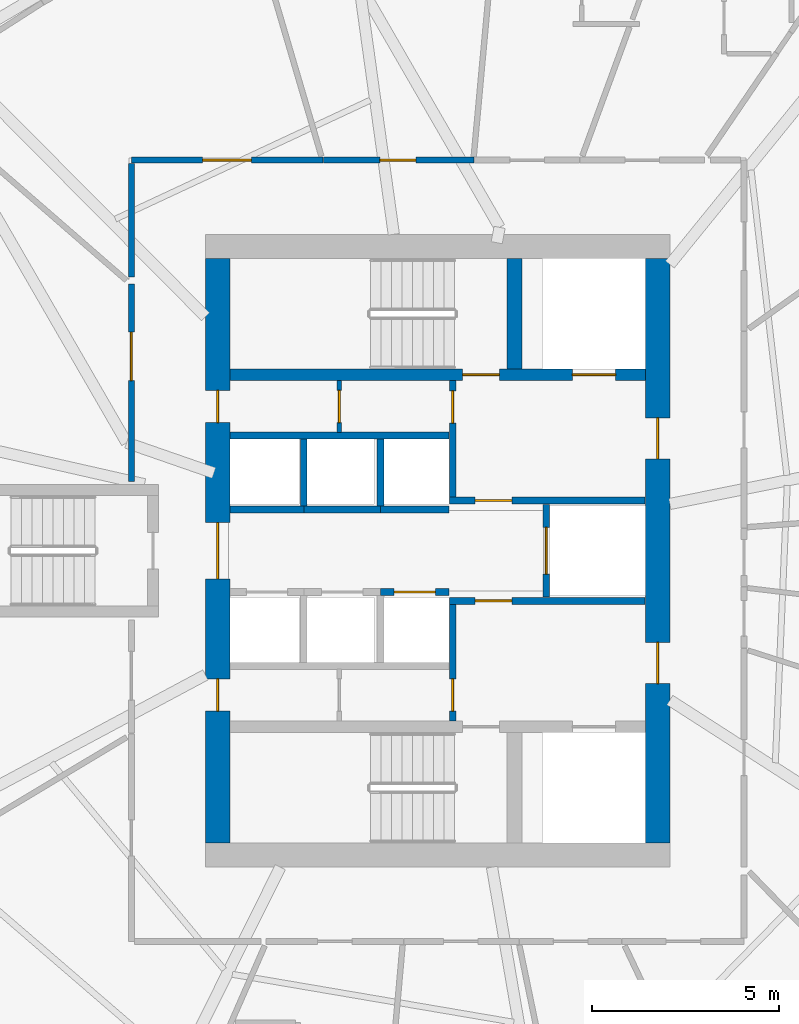
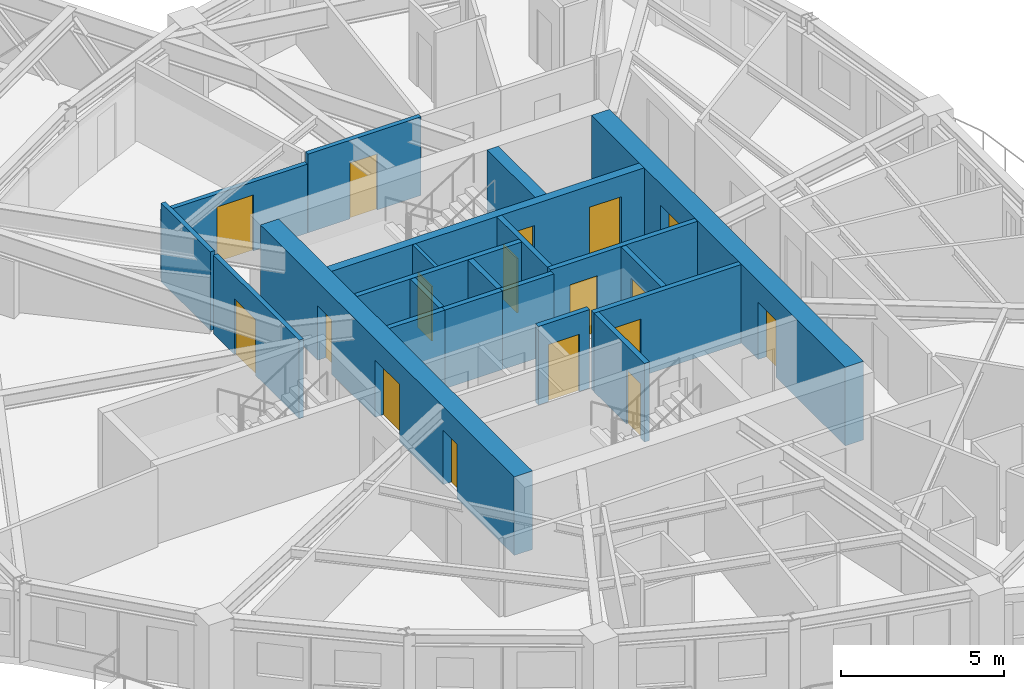
# One storey, part 7 of 14: 21 walls, 17 doors, 17 openings.
"""IFC4 building model written with IfcOpenShell, lengths in metres."""

from ifc_helpers import new_model, si_unit, direction, frame, frame_2d, origin, place, context, subcontext, project, spatial, rectangle, extrude, source, transform, mapped, material, layer, layer_set, type_object, element, fill, save


model = new_model("IFC4")

# Units and contexts
model_context = context("Model", 3, precision=1e-05, world=origin(), true_north=direction((0.0, 1.0)))
body_context = subcontext(model_context, "Body", "Model", "MODEL_VIEW")
ifc_project = project(units=[si_unit("LENGTHUNIT", "METRE"), si_unit("AREAUNIT", "SQUARE_METRE"), si_unit("VOLUMEUNIT", "CUBIC_METRE"), si_unit("PLANEANGLEUNIT", "RADIAN"), si_unit("MASSUNIT", "GRAM", prefix="KILO")], contexts=[model_context])

# Site, building, storey
site_placement = place(None, origin())
site = spatial("IfcSite", under=ifc_project, at=site_placement, CompositionType="ELEMENT")
building_placement = place(site_placement, origin())
building = spatial("IfcBuilding", under=site, at=building_placement, Name="Qafzar Sky-Pleat Residences", CompositionType="ELEMENT")
storey_placement = place(building_placement, frame((0.0, 0.0, 86.39990234375)))
storey = spatial("IfcBuildingStorey", under=building, at=storey_placement, Name="L25", CompositionType="ELEMENT", Elevation=86.39990234375)

# Wall, opening, door
ifc_material_1 = material(Name="Acoustic gypsum plasterboard partition", Category="gypsum")
ifc_layer_1 = layer(ifc_material_1, 0.159912109375)
ifc_layer_set_1 = layer_set([ifc_layer_1], Name="Acoustic gypsum plasterboard partition")
wall_type_1 = type_object("IfcWallType", Name="PART-COR-160", PredefinedType="PARTITIONING", material=ifc_layer_set_1)
wall_1_placement = place(storey_placement, frame((22.169921875, 27.85009765625, 0.0), z_axis=(0.0, 0.0, 1.0), x_axis=(0.0, 1.0, 0.0)))
wall_1 = element("IfcWall", 1, at=wall_1_placement, inside=storey, type_object=wall_type_1, Name="L25 Partition Wall PART-L25-PW-004", PredefinedType="PARTITIONING", context=body_context, shape_type="SweptSolid", body=[
    extrude(rectangle(XDim=5.27587890625, YDim=0.159912109375, at=frame_2d((2.637939453125, 0.0))), origin(), (0.0, 0.0, 1.0), 2.9501953125),
])
opening_1_placement = place(wall_1_placement, frame((2.689453125, 0.0, 0.0)))
opening_1 = element("IfcOpeningElement", 2, at=opening_1_placement, cuts=wall_1, Name="Opening ID-05", PredefinedType="OPENING", context=body_context, shape_type="SweptSolid", body=[
    extrude(rectangle(XDim=1.300048828125, YDim=2.10009765625, at=frame_2d((0.64990234375, 1.050048828125))), frame((0.0, 0.08984375, 0.0), z_axis=(0.0, -1.0, 0.0), x_axis=(1.0, 0.0, 0.0)), (0.0, 0.0, 1.0), 0.179931640625),
])
ifc_material_2 = material(Name="Timber-faced fire door", Category="wood")
door_type_1 = type_object("IfcDoorType", Name="DR-LNG-1300", OperationType="DOUBLE_DOOR_SINGLE_SWING", PredefinedType="DOOR", material=ifc_material_2)
shared_shape_1 = source(origin(), body_context, "Body", "SweptSolid", [
    extrude(rectangle(XDim=1.300048828125, YDim=2.10009765625, at=frame_2d((0.64990234375, 1.050048828125))), frame((0.0, 0.02490234375, 0.0), z_axis=(0.0, -1.0, 0.0), x_axis=(1.0, 0.0, 0.0)), (0.0, 0.0, 1.0), 0.050048828125),
])
door_1_placement = place(opening_1_placement, origin())
door_1 = element("IfcDoor", 3, at=door_1_placement, inside=storey, type_object=door_type_1, Name="L25 Academic Seminar Room Door", OperationType="DOUBLE_DOOR_SINGLE_SWING", OverallHeight=2.10009765625, OverallWidth=1.300048828125, PredefinedType="DOOR", context=body_context, shape_type="MappedRepresentation", body=[
    mapped(shared_shape_1, transform((0.0, 0.0, 0.0), x_axis=(1.0, 0.0, 0.0), y_axis=(0.0, 1.0, 0.0), z_axis=(0.0, 0.0, 1.0), scale=1.0)),
])
fill(opening_1, door_1)

wall_2_placement = place(storey_placement, frame((22.169921875, 36.429931640625, 0.0), z_axis=(0.0, 0.0, 1.0), x_axis=(1.0, 0.0, 0.0)))
wall_2 = element("IfcWall", 4, at=wall_2_placement, inside=storey, type_object=wall_type_1, Name="L25 Partition Wall PART-L25-PW-006", PredefinedType="PARTITIONING", context=body_context, shape_type="SweptSolid", body=[
    extrude(rectangle(XDim=5.1220703125, YDim=0.159912109375, at=frame_2d((2.56103515625, 0.0))), origin(), (0.0, 0.0, 1.0), 2.588134765625),
])
opening_2_placement = place(wall_2_placement, frame((1.903076171875, 0.0, 0.0)))
opening_2 = element("IfcOpeningElement", 5, at=opening_2_placement, cuts=wall_2, Name="Opening ID-05", PredefinedType="OPENING", context=body_context, shape_type="SweptSolid", body=[
    extrude(rectangle(XDim=1.300048828125, YDim=2.10009765625, at=frame_2d((0.64990234375, 1.050048828125))), frame((0.0, 0.08984375, 0.0), z_axis=(0.0, -1.0, 0.0), x_axis=(1.0, 0.0, 0.0)), (0.0, 0.0, 1.0), 0.179931640625),
])
door_2_placement = place(opening_2_placement, origin())
door_2 = element("IfcDoor", 6, at=door_2_placement, inside=storey, type_object=door_type_1, Name="L25 Co-Living Lounge Door", OperationType="DOUBLE_DOOR_SINGLE_SWING", OverallHeight=2.10009765625, OverallWidth=1.300048828125, PredefinedType="DOOR", context=body_context, shape_type="MappedRepresentation", body=[
    mapped(shared_shape_1, transform((0.0, 0.0, 0.0), x_axis=(1.0, 0.0, 0.0), y_axis=(0.0, 1.0, 0.0), z_axis=(0.0, 0.0, 1.0), scale=1.0)),
])
fill(opening_2, door_2)

wall_3_placement = place(storey_placement, frame((27.306884765625, 36.429931640625, 0.0), z_axis=(0.0, 0.0, 1.0), x_axis=(1.0, 0.0, 0.0)))
wall_3 = element("IfcWall", 7, at=wall_3_placement, inside=storey, type_object=wall_type_1, Name="L25 Partition Wall PART-L25-PW-008", PredefinedType="PARTITIONING", context=body_context, shape_type="SweptSolid", body=[
    extrude(rectangle(XDim=4.01318359375, YDim=0.159912109375, at=frame_2d((2.006591796875, 0.0))), origin(), (0.0, 0.0, 1.0), 2.9501953125),
])
opening_3_placement = place(wall_3_placement, frame((1.50341796875, 0.0, 0.0)))
opening_3 = element("IfcOpeningElement", 8, at=opening_3_placement, cuts=wall_3, Name="Opening ID-06", PredefinedType="OPENING", context=body_context, shape_type="SweptSolid", body=[
    extrude(rectangle(XDim=0.9599609375, YDim=2.10009765625, at=frame_2d((0.47998046875, 1.050048828125))), frame((0.0, 0.08984375, 0.0), z_axis=(0.0, -1.0, 0.0), x_axis=(1.0, 0.0, 0.0)), (0.0, 0.0, 1.0), 0.179931640625),
])
door_type_2 = type_object("IfcDoorType", Name="DR-STD-960", OperationType="NOTDEFINED", PredefinedType="DOOR", material=ifc_material_2)
shared_shape_2 = source(origin(), body_context, "Body", "SweptSolid", [
    extrude(rectangle(XDim=0.9599609375, YDim=2.10009765625, at=frame_2d((0.47998046875, 1.050048828125))), frame((0.0, 0.02490234375, 0.0), z_axis=(0.0, -1.0, 0.0), x_axis=(1.0, 0.0, 0.0)), (0.0, 0.0, 1.0), 0.050048828125),
])
door_3_placement = place(opening_3_placement, origin())
door_3 = element("IfcDoor", 9, at=door_3_placement, inside=storey, type_object=door_type_2, Name="L25 Faculty Research Office Door", OperationType="SINGLE_SWING_LEFT", OverallHeight=2.10009765625, OverallWidth=0.9599609375, PredefinedType="DOOR", context=body_context, shape_type="MappedRepresentation", body=[
    mapped(shared_shape_2, transform((0.0, 0.0, 0.0), x_axis=(1.0, 0.0, 0.0), y_axis=(0.0, 1.0, 0.0), z_axis=(0.0, 0.0, 1.0), scale=1.0)),
])
fill(opening_3, door_3)

# Wall
wall_4_placement = place(storey_placement, frame((22.169921875, 33.314697265625, 0.0), z_axis=(0.0, 0.0, 1.0), x_axis=(0.0, 1.0, 0.0)))
element("IfcWall", 10, at=wall_4_placement, inside=storey, type_object=wall_type_1, Name="L25 Partition Wall PART-L25-PW-045", PredefinedType="PARTITIONING", context=body_context, shape_type="SweptSolid", body=[
    extrude(rectangle(XDim=3.02734375, YDim=0.159912109375, at=frame_2d((1.513671875, 0.0))), origin(), (0.0, 0.0, 1.0), 2.9501953125),
])

# Wall, opening, door
ifc_material_3 = material(Name="Concrete blockwork partition", Category="masonry")
ifc_layer_2 = layer(ifc_material_3, 0.179931640625)
ifc_layer_set_2 = layer_set([ifc_layer_2], Name="Concrete blockwork partition")
wall_type_2 = type_object("IfcWallType", Name="PART-SHAFT-180", PredefinedType="PARTITIONING", material=ifc_layer_set_2)
wall_5_placement = place(storey_placement, frame((30.75, 21.4599609375, 0.0), z_axis=(0.0, 0.0, 1.0), x_axis=(0.0, 1.0, 0.0)))
wall_5 = element("IfcWall", 11, at=wall_5_placement, inside=storey, type_object=wall_type_2, Name="L25 Partition Wall PART-L25-FFL1-W", PredefinedType="PARTITIONING", context=body_context, shape_type="SweptSolid", body=[
    extrude(rectangle(XDim=3.110107421875, YDim=0.179931640625, at=frame_2d((1.55517578125, 0.0))), origin(), (0.0, 0.0, 1.0), 2.9501953125),
])
opening_4_placement = place(wall_5_placement, frame((0.260009765625, 0.0, 0.0)))
opening_4 = element("IfcOpeningElement", 12, at=opening_4_placement, cuts=wall_5, Name="Opening ID-09", PredefinedType="OPENING", context=body_context, shape_type="SweptSolid", body=[
    extrude(rectangle(XDim=0.860107421875, YDim=2.050048828125, at=frame_2d((0.43017578125, 1.02490234375))), frame((0.0, 0.10009765625, 0.0), z_axis=(0.0, -1.0, 0.0), x_axis=(1.0, 0.0, 0.0)), (0.0, 0.0, 1.0), 0.199951171875),
])
door_type_3 = type_object("IfcDoorType", Name="DR-SVC-860", OperationType="NOTDEFINED", PredefinedType="DOOR", material=ifc_material_2)
shared_shape_3 = source(origin(), body_context, "Body", "SweptSolid", [
    extrude(rectangle(XDim=0.860107421875, YDim=2.050048828125, at=frame_2d((0.43017578125, 1.02490234375))), frame((0.0, 0.02490234375, 0.0), z_axis=(0.0, -1.0, 0.0), x_axis=(1.0, 0.0, 0.0)), (0.0, 0.0, 1.0), 0.050048828125),
])
door_4_placement = place(opening_4_placement, origin())
door_4 = element("IfcDoor", 13, at=door_4_placement, inside=storey, type_object=door_type_3, Name="L25 South Core Cupboard Door", OperationType="SINGLE_SWING_RIGHT", OverallHeight=2.050048828125, OverallWidth=0.860107421875, PredefinedType="DOOR", context=body_context, shape_type="MappedRepresentation", body=[
    mapped(shared_shape_3, transform((0.0, 0.0, 0.0), x_axis=(1.0, 0.0, 0.0), y_axis=(0.0, 1.0, 0.0), z_axis=(0.0, 0.0, 1.0), scale=1.0)),
])
fill(opening_4, door_4)

wall_6_placement = place(storey_placement, frame((30.669921875, 24.659912109375, 0.0), z_axis=(0.0, 0.0, 1.0), x_axis=(1.0, 0.0, 0.0)))
wall_6 = element("IfcWall", 14, at=wall_6_placement, inside=storey, type_object=wall_type_2, Name="L25 Partition Wall PART-L25-FFL1-N", PredefinedType="PARTITIONING", context=body_context, shape_type="SweptSolid", body=[
    extrude(rectangle(XDim=5.219970703125, YDim=0.179931640625, at=frame_2d((2.60986328125, 0.0))), origin(), (0.0, 0.0, 1.0), 2.9501953125),
])
opening_5_placement = place(wall_6_placement, frame((0.679931640625, 0.0, 0.0)))
opening_5 = element("IfcOpeningElement", 15, at=opening_5_placement, cuts=wall_6, Name="Opening ID-01", PredefinedType="OPENING", context=body_context, shape_type="SweptSolid", body=[
    extrude(rectangle(XDim=0.97998046875, YDim=2.14990234375, at=frame_2d((0.489990234375, 1.074951171875))), frame((0.0, 0.10009765625, 0.0), z_axis=(0.0, -1.0, 0.0), x_axis=(1.0, 0.0, 0.0)), (0.0, 0.0, 1.0), 0.199951171875),
])
door_type_4 = type_object("IfcDoorType", Name="DR-STAIR-980", OperationType="NOTDEFINED", PredefinedType="DOOR", material=ifc_material_2)
shared_shape_4 = source(origin(), body_context, "Body", "SweptSolid", [
    extrude(rectangle(XDim=0.97998046875, YDim=2.14990234375, at=frame_2d((0.489990234375, 1.074951171875))), frame((0.0, 0.02490234375, 0.0), z_axis=(0.0, -1.0, 0.0), x_axis=(1.0, 0.0, 0.0)), (0.0, 0.0, 1.0), 0.050048828125),
])
door_5_placement = place(opening_5_placement, origin())
door_5 = element("IfcDoor", 16, at=door_5_placement, inside=storey, type_object=door_type_4, Name="L25 Lift Lobby to South Firefighting Lobby Door", OperationType="SINGLE_SWING_LEFT", OverallHeight=2.14990234375, OverallWidth=0.97998046875, PredefinedType="DOOR", context=body_context, shape_type="MappedRepresentation", body=[
    mapped(shared_shape_4, transform((0.0, 0.0, 0.0), x_axis=(1.0, 0.0, 0.0), y_axis=(0.0, 1.0, 0.0), z_axis=(0.0, 0.0, 1.0), scale=1.0)),
])
fill(opening_5, door_5)

wall_7_placement = place(storey_placement, frame((30.75, 27.429931640625, 0.0), z_axis=(0.0, 0.0, 1.0), x_axis=(0.0, 1.0, 0.0)))
wall_7 = element("IfcWall", 17, at=wall_7_placement, inside=storey, type_object=wall_type_2, Name="L25 Partition Wall PART-L25-FFL2-W", PredefinedType="PARTITIONING", context=body_context, shape_type="SweptSolid", body=[
    extrude(rectangle(XDim=3.110107421875, YDim=0.179931640625, at=frame_2d((1.55517578125, 0.0))), origin(), (0.0, 0.0, 1.0), 2.9501953125),
])
opening_6_placement = place(wall_7_placement, frame((1.97998046875, 0.0, 0.0)))
opening_6 = element("IfcOpeningElement", 18, at=opening_6_placement, cuts=wall_7, Name="Opening ID-09", PredefinedType="OPENING", context=body_context, shape_type="SweptSolid", body=[
    extrude(rectangle(XDim=0.860107421875, YDim=2.050048828125, at=frame_2d((0.43017578125, 1.02490234375))), frame((0.0, 0.10009765625, 0.0), z_axis=(0.0, -1.0, 0.0), x_axis=(1.0, 0.0, 0.0)), (0.0, 0.0, 1.0), 0.199951171875),
])
door_6_placement = place(opening_6_placement, origin())
door_6 = element("IfcDoor", 19, at=door_6_placement, inside=storey, type_object=door_type_3, Name="L25 North Core Cupboard Door", OperationType="SINGLE_SWING_RIGHT", OverallHeight=2.050048828125, OverallWidth=0.860107421875, PredefinedType="DOOR", context=body_context, shape_type="MappedRepresentation", body=[
    mapped(shared_shape_3, transform((0.0, 0.0, 0.0), x_axis=(1.0, 0.0, 0.0), y_axis=(0.0, 1.0, 0.0), z_axis=(0.0, 0.0, 1.0), scale=1.0)),
])
fill(opening_6, door_6)

wall_8_placement = place(storey_placement, frame((30.669921875, 27.340087890625, 0.0), z_axis=(0.0, 0.0, 1.0), x_axis=(1.0, 0.0, 0.0)))
wall_8 = element("IfcWall", 20, at=wall_8_placement, inside=storey, type_object=wall_type_2, Name="L25 Partition Wall PART-L25-FFL2-S", PredefinedType="PARTITIONING", context=body_context, shape_type="SweptSolid", body=[
    extrude(rectangle(XDim=5.219970703125, YDim=0.179931640625, at=frame_2d((2.60986328125, 0.0))), origin(), (0.0, 0.0, 1.0), 2.9501953125),
])
opening_7_placement = place(wall_8_placement, frame((0.679931640625, 0.0, 0.0)))
opening_7 = element("IfcOpeningElement", 21, at=opening_7_placement, cuts=wall_8, Name="Opening ID-01", PredefinedType="OPENING", context=body_context, shape_type="SweptSolid", body=[
    extrude(rectangle(XDim=0.97998046875, YDim=2.14990234375, at=frame_2d((0.489990234375, 1.074951171875))), frame((0.0, 0.10009765625, 0.0), z_axis=(0.0, -1.0, 0.0), x_axis=(1.0, 0.0, 0.0)), (0.0, 0.0, 1.0), 0.199951171875),
])
door_7_placement = place(opening_7_placement, origin())
door_7 = element("IfcDoor", 22, at=door_7_placement, inside=storey, type_object=door_type_4, Name="L25 Lift Lobby to North Firefighting Lobby Door", OperationType="SINGLE_SWING_LEFT", OverallHeight=2.14990234375, OverallWidth=0.97998046875, PredefinedType="DOOR", context=body_context, shape_type="MappedRepresentation", body=[
    mapped(shared_shape_4, transform((0.0, 0.0, 0.0), x_axis=(1.0, 0.0, 0.0), y_axis=(0.0, 1.0, 0.0), z_axis=(0.0, 0.0, 1.0), scale=1.0)),
])
fill(opening_7, door_7)

wall_9_placement = place(storey_placement, frame((33.25, 24.760009765625, 0.0), z_axis=(0.0, 0.0, 1.0), x_axis=(0.0, 1.0, 0.0)))
wall_9 = element("IfcWall", 23, at=wall_9_placement, inside=storey, type_object=wall_type_2, Name="L25 Partition Wall PART-L25-SV1-W", PredefinedType="PARTITIONING", context=body_context, shape_type="SweptSolid", body=[
    extrude(rectangle(XDim=2.47998046875, YDim=0.179931640625, at=frame_2d((1.239990234375, 0.0))), origin(), (0.0, 0.0, 1.0), 2.9501953125),
])
opening_8_placement = place(wall_9_placement, frame((0.614990234375, 0.0, 0.0)))
opening_8 = element("IfcOpeningElement", 24, at=opening_8_placement, cuts=wall_9, Name="Opening LD-03", PredefinedType="OPENING", context=body_context, shape_type="SweptSolid", body=[
    extrude(rectangle(XDim=1.25, YDim=2.14990234375, at=frame_2d((0.625, 1.074951171875))), frame((0.0, 0.10009765625, 0.0), z_axis=(0.0, -1.0, 0.0), x_axis=(1.0, 0.0, 0.0)), (0.0, 0.0, 1.0), 0.199951171875),
])
ifc_material_4 = material(Name="Stainless steel sliding landing door", Category="steel")
door_type_5 = type_object("IfcDoorType", Name="DR-LIFT-SV", OperationType="DOUBLE_DOOR_SLIDING", PredefinedType="DOOR", material=ifc_material_4)
shared_shape_5 = source(origin(), body_context, "Body", "SweptSolid", [
    extrude(rectangle(XDim=1.25, YDim=2.14990234375, at=frame_2d((0.625, 1.074951171875))), frame((0.0, 0.02490234375, 0.0), z_axis=(0.0, -1.0, 0.0), x_axis=(1.0, 0.0, 0.0)), (0.0, 0.0, 1.0), 0.050048828125),
])
door_8_placement = place(opening_8_placement, origin())
door_8 = element("IfcDoor", 25, at=door_8_placement, inside=storey, type_object=door_type_5, Name="L25 Service Lift SV1 Landing Door", OperationType="DOUBLE_DOOR_SLIDING", OverallHeight=2.14990234375, OverallWidth=1.25, PredefinedType="DOOR", context=body_context, shape_type="MappedRepresentation", body=[
    mapped(shared_shape_5, transform((0.0, 0.0, 0.0), x_axis=(1.0, 0.0, 0.0), y_axis=(0.0, 1.0, 0.0), z_axis=(0.0, 0.0, 1.0), scale=1.0)),
])
fill(opening_8, door_8)

wall_10_placement = place(storey_placement, frame((28.824951171875, 24.89990234375, 0.0), z_axis=(0.0, 0.0, 1.0), x_axis=(1.0, 0.0, 0.0)))
wall_10 = element("IfcWall", 26, at=wall_10_placement, inside=storey, type_object=wall_type_2, Name="L25 Partition Wall PART-L25-P3-N", PredefinedType="PARTITIONING", context=body_context, shape_type="SweptSolid", body=[
    extrude(rectangle(XDim=1.824951171875, YDim=0.179931640625, at=frame_2d((0.91259765625, 0.0))), origin(), (0.0, 0.0, 1.0), 2.9501953125),
])
opening_9_placement = place(wall_10_placement, frame((0.362548828125, 0.0, 0.0)))
opening_9 = element("IfcOpeningElement", 27, at=opening_9_placement, cuts=wall_10, Name="Opening LD-01", PredefinedType="OPENING", context=body_context, shape_type="SweptSolid", body=[
    extrude(rectangle(XDim=1.10009765625, YDim=2.14990234375, at=frame_2d((0.550048828125, 1.074951171875))), frame((0.0, 0.10009765625, 0.0), z_axis=(0.0, -1.0, 0.0), x_axis=(1.0, 0.0, 0.0)), (0.0, 0.0, 1.0), 0.199951171875),
])
door_type_6 = type_object("IfcDoorType", Name="DR-LIFT-P", OperationType="DOUBLE_DOOR_SLIDING", PredefinedType="DOOR", material=ifc_material_4)
shared_shape_6 = source(origin(), body_context, "Body", "SweptSolid", [
    extrude(rectangle(XDim=1.10009765625, YDim=2.14990234375, at=frame_2d((0.550048828125, 1.074951171875))), frame((0.0, 0.02490234375, 0.0), z_axis=(0.0, -1.0, 0.0), x_axis=(1.0, 0.0, 0.0)), (0.0, 0.0, 1.0), 0.050048828125),
])
door_9_placement = place(opening_9_placement, origin())
door_9 = element("IfcDoor", 28, at=door_9_placement, inside=storey, type_object=door_type_6, Name="L25 Passenger Lift P3 Landing Door", OperationType="DOUBLE_DOOR_SLIDING", OverallHeight=2.14990234375, OverallWidth=1.10009765625, PredefinedType="DOOR", context=body_context, shape_type="MappedRepresentation", body=[
    mapped(shared_shape_6, transform((0.0, 0.0, 0.0), x_axis=(1.0, 0.0, 0.0), y_axis=(0.0, 1.0, 0.0), z_axis=(0.0, 0.0, 1.0), scale=1.0)),
])
fill(opening_9, door_9)

# Walls
wall_11_placement = place(storey_placement, frame((24.81005859375, 29.080078125, 0.0), z_axis=(0.0, 0.0, 1.0), x_axis=(1.0, 0.0, 0.0)))
element("IfcWall", 29, at=wall_11_placement, inside=storey, type_object=wall_type_2, Name="L25 Partition Wall PART-L25-P46-N", PredefinedType="PARTITIONING", context=body_context, shape_type="SweptSolid", body=[
    extrude(rectangle(XDim=5.83984375, YDim=0.179931640625, at=frame_2d((2.919921875, 0.0))), origin(), (0.0, 0.0, 1.0), 2.9501953125),
])
wall_12_placement = place(storey_placement, frame((24.81005859375, 27.10009765625, 0.0), z_axis=(0.0, 0.0, 1.0), x_axis=(1.0, 0.0, 0.0)))
element("IfcWall", 30, at=wall_12_placement, inside=storey, type_object=wall_type_2, Name="L25 Partition Wall PART-L25-P4-S", PredefinedType="PARTITIONING", context=body_context, shape_type="SweptSolid", body=[
    extrude(rectangle(XDim=1.96484375, YDim=0.179931640625, at=frame_2d((0.982421875, 0.0))), origin(), (0.0, 0.0, 1.0), 2.9501953125),
])
wall_13_placement = place(storey_placement, frame((26.77490234375, 27.10009765625, 0.0), z_axis=(0.0, 0.0, 1.0), x_axis=(1.0, 0.0, 0.0)))
element("IfcWall", 31, at=wall_13_placement, inside=storey, type_object=wall_type_2, Name="L25 Partition Wall PART-L25-P5-S", PredefinedType="PARTITIONING", context=body_context, shape_type="SweptSolid", body=[
    extrude(rectangle(XDim=2.050048828125, YDim=0.179931640625, at=frame_2d((1.02490234375, 0.0))), origin(), (0.0, 0.0, 1.0), 2.9501953125),
])
wall_14_placement = place(storey_placement, frame((26.77490234375, 27.199951171875, 0.0), z_axis=(0.0, 0.0, 1.0), x_axis=(0.0, 1.0, 0.0)))
element("IfcWall", 32, at=wall_14_placement, inside=storey, type_object=wall_type_2, Name="L25 Partition Wall PART-L25-P46-DIV-1", PredefinedType="PARTITIONING", context=body_context, shape_type="SweptSolid", body=[
    extrude(rectangle(XDim=1.780029296875, YDim=0.179931640625, at=frame_2d((0.89013671875, 0.0))), origin(), (0.0, 0.0, 1.0), 2.9501953125),
])
wall_15_placement = place(storey_placement, frame((28.824951171875, 27.10009765625, 0.0), z_axis=(0.0, 0.0, 1.0), x_axis=(1.0, 0.0, 0.0)))
element("IfcWall", 33, at=wall_15_placement, inside=storey, type_object=wall_type_2, Name="L25 Partition Wall PART-L25-P6-S", PredefinedType="PARTITIONING", context=body_context, shape_type="SweptSolid", body=[
    extrude(rectangle(XDim=1.824951171875, YDim=0.179931640625, at=frame_2d((0.91259765625, 0.0))), origin(), (0.0, 0.0, 1.0), 2.9501953125),
])
wall_16_placement = place(storey_placement, frame((28.824951171875, 27.199951171875, 0.0), z_axis=(0.0, 0.0, 1.0), x_axis=(0.0, 1.0, 0.0)))
element("IfcWall", 34, at=wall_16_placement, inside=storey, type_object=wall_type_2, Name="L25 Partition Wall PART-L25-P46-DIV-2", PredefinedType="PARTITIONING", context=body_context, shape_type="SweptSolid", body=[
    extrude(rectangle(XDim=1.780029296875, YDim=0.179931640625, at=frame_2d((0.89013671875, 0.0))), origin(), (0.0, 0.0, 1.0), 2.9501953125),
])

# Wall, opening, door
ifc_material_5 = material(Name="Gypsum plasterboard partition", Category="gypsum")
ifc_layer_3 = layer(ifc_material_5, 0.114990234375)
ifc_layer_set_3 = layer_set([ifc_layer_3], Name="Gypsum plasterboard partition")
wall_type_3 = type_object("IfcWallType", Name="PART-SVC-115", PredefinedType="PARTITIONING", material=ifc_layer_set_3)
wall_17_placement = place(storey_placement, frame((27.72509765625, 29.159912109375, 0.0), z_axis=(0.0, 0.0, 1.0), x_axis=(0.0, 1.0, 0.0)))
wall_17 = element("IfcWall", 35, at=wall_17_placement, inside=storey, type_object=wall_type_3, Name="L25 Partition Wall PART-L25-KB-NW", PredefinedType="PARTITIONING", context=body_context, shape_type="SweptSolid", body=[
    extrude(rectangle(XDim=1.380126953125, YDim=0.114990234375, at=frame_2d((0.68994140625, 0.0))), origin(), (0.0, 0.0, 1.0), 2.9501953125),
])
opening_10_placement = place(wall_17_placement, frame((0.260009765625, 0.0, 0.0)))
opening_10 = element("IfcOpeningElement", 36, at=opening_10_placement, cuts=wall_17, Name="Opening ID-09", PredefinedType="OPENING", context=body_context, shape_type="SweptSolid", body=[
    extrude(rectangle(XDim=0.860107421875, YDim=2.050048828125, at=frame_2d((0.43017578125, 1.02490234375))), frame((0.0, 0.0673828125, 0.0), z_axis=(0.0, -1.0, 0.0), x_axis=(1.0, 0.0, 0.0)), (0.0, 0.0, 1.0), 0.135009765625),
])
door_10_placement = place(opening_10_placement, origin())
door_10 = element("IfcDoor", 37, at=door_10_placement, inside=storey, type_object=door_type_3, Name="L25 IT Cupboard Door", OperationType="SINGLE_SWING_LEFT", OverallHeight=2.050048828125, OverallWidth=0.860107421875, PredefinedType="DOOR", context=body_context, shape_type="MappedRepresentation", body=[
    mapped(shared_shape_3, transform((0.0, 0.0, 0.0), x_axis=(1.0, 0.0, 0.0), y_axis=(0.0, 1.0, 0.0), z_axis=(0.0, 0.0, 1.0), scale=1.0)),
])
fill(opening_10, door_10)

# Wall, openings, doors
ifc_material_6 = material(Name="Concrete C60/75", Category="concrete")
ifc_layer_4 = layer(ifc_material_6, 0.300048828125)
ifc_layer_set_4 = layer_set([ifc_layer_4], Name="Concrete C60/75")
wall_type_4 = type_object("IfcWallType", Name="WALL-SHEAR-300", PredefinedType="SHEAR", material=ifc_layer_set_4)
wall_18_placement = place(storey_placement, frame((24.800048828125, 30.699951171875, 0.0), z_axis=(0.0, 0.0, 1.0), x_axis=(1.0, 0.0, 0.0)))
wall_18 = element("IfcWall", 38, at=wall_18_placement, inside=storey, type_object=wall_type_4, Name="L25 Stair ST2 and FF2 Shaft South Wall", PredefinedType="SHEAR", context=body_context, shape_type="SweptSolid", body=[
    extrude(rectangle(XDim=11.099853515625, YDim=0.300048828125, at=frame_2d((5.5498046875, 0.0))), origin(), (0.0, 0.0, 1.0), 2.9501953125),
])
opening_11_placement = place(wall_18_placement, frame((6.219970703125, 0.0, 0.0)))
opening_11 = element("IfcOpeningElement", 39, at=opening_11_placement, cuts=wall_18, Name="Opening ID-01", PredefinedType="OPENING", context=body_context, shape_type="SweptSolid", body=[
    extrude(rectangle(XDim=0.97998046875, YDim=2.14990234375, at=frame_2d((0.489990234375, 1.074951171875))), frame((0.0, 0.16015625, 0.0), z_axis=(0.0, -1.0, 0.0), x_axis=(1.0, 0.0, 0.0)), (0.0, 0.0, 1.0), 0.320068359375),
])
opening_12_placement = place(wall_18_placement, frame((9.14990234375, 0.0, 0.0)))
opening_12 = element("IfcOpeningElement", 40, at=opening_12_placement, cuts=wall_18, Name="Opening LD-02", PredefinedType="OPENING", context=body_context, shape_type="SweptSolid", body=[
    extrude(rectangle(XDim=1.14990234375, YDim=2.14990234375, at=frame_2d((0.574951171875, 1.074951171875))), frame((0.0, 0.16015625, 0.0), z_axis=(0.0, -1.0, 0.0), x_axis=(1.0, 0.0, 0.0)), (0.0, 0.0, 1.0), 0.320068359375),
])
door_11_placement = place(opening_11_placement, origin())
door_11 = element("IfcDoor", 41, at=door_11_placement, inside=storey, type_object=door_type_4, Name="L25 Stair ST2 Fire Door", OperationType="SINGLE_SWING_RIGHT", OverallHeight=2.14990234375, OverallWidth=0.97998046875, PredefinedType="DOOR", context=body_context, shape_type="MappedRepresentation", body=[
    mapped(shared_shape_4, transform((0.0, 0.0, 0.0), x_axis=(1.0, 0.0, 0.0), y_axis=(0.0, 1.0, 0.0), z_axis=(0.0, 0.0, 1.0), scale=1.0)),
])
fill(opening_11, door_11)
door_type_7 = type_object("IfcDoorType", Name="DR-LIFT-FF", OperationType="DOUBLE_DOOR_SLIDING", PredefinedType="DOOR", material=ifc_material_4)
shared_shape_7 = source(origin(), body_context, "Body", "SweptSolid", [
    extrude(rectangle(XDim=1.14990234375, YDim=2.14990234375, at=frame_2d((0.574951171875, 1.074951171875))), frame((0.0, 0.02490234375, 0.0), z_axis=(0.0, -1.0, 0.0), x_axis=(1.0, 0.0, 0.0)), (0.0, 0.0, 1.0), 0.050048828125),
])
door_12_placement = place(opening_12_placement, origin())
door_12 = element("IfcDoor", 42, at=door_12_placement, inside=storey, type_object=door_type_7, Name="L25 Firefighting Lift FF2 Landing Door", OperationType="DOUBLE_DOOR_SLIDING", OverallHeight=2.14990234375, OverallWidth=1.14990234375, PredefinedType="DOOR", context=body_context, shape_type="MappedRepresentation", body=[
    mapped(shared_shape_7, transform((0.0, 0.0, 0.0), x_axis=(1.0, 0.0, 0.0), y_axis=(0.0, 1.0, 0.0), z_axis=(0.0, 0.0, 1.0), scale=1.0)),
])
fill(opening_12, door_12)

# Wall
ifc_layer_5 = layer(ifc_material_6, 0.39990234375)
ifc_layer_set_5 = layer_set([ifc_layer_5], Name="Concrete C60/75")
wall_type_5 = type_object("IfcWallType", Name="WALL-SHEAR-400", PredefinedType="SHEAR", material=ifc_layer_set_5)
wall_19_placement = place(storey_placement, frame((32.39990234375, 30.85009765625, 0.0), z_axis=(0.0, 0.0, 1.0), x_axis=(0.0, 1.0, 0.0)))
element("IfcWall", 43, at=wall_19_placement, inside=storey, type_object=wall_type_5, Name="L25 Stair ST2 East Dividing Wall", PredefinedType="SHEAR", context=body_context, shape_type="SweptSolid", body=[
    extrude(rectangle(XDim=2.949951171875, YDim=0.39990234375, at=frame_2d((1.47509765625, 0.0))), origin(), (0.0, 0.0, 1.0), 2.9501953125),
])

# Wall, openings, doors
ifc_layer_6 = layer(ifc_material_6, 0.64990234375)
ifc_layer_set_6 = layer_set([ifc_layer_6], Name="Concrete C60/75")
wall_type_6 = type_object("IfcWallType", Name="WALL-SHEAR-650", PredefinedType="SHEAR", material=ifc_layer_set_6)
wall_20_placement = place(storey_placement, frame((24.47509765625, 33.800048828125, 0.0), z_axis=(0.0, 0.0, 1.0), x_axis=(0.0, -1.0, 0.0)))
wall_20 = element("IfcWall", 44, at=wall_20_placement, inside=storey, type_object=wall_type_6, Name="L25 CORE wall W", PredefinedType="SHEAR", context=body_context, shape_type="SweptSolid", body=[
    extrude(rectangle(XDim=15.60009765625, YDim=0.64990234375, at=frame_2d((7.800048828125, 0.0))), origin(), (0.0, 0.0, 1.0), 2.9501953125),
])
opening_13_placement = place(wall_20_placement, frame((7.050048828125, 0.0, 0.0)))
opening_13 = element("IfcOpeningElement", 45, at=opening_13_placement, cuts=wall_20, Name="Opening ID-03", PredefinedType="OPENING", context=body_context, shape_type="SweptSolid", body=[
    extrude(rectangle(XDim=1.5, YDim=2.14990234375, at=frame_2d((0.75, 1.074951171875))), frame((0.0, 0.3349609375, 0.0), z_axis=(0.0, -1.0, 0.0), x_axis=(1.0, 0.0, 0.0)), (0.0, 0.0, 1.0), 0.669921875),
])
opening_14_placement = place(wall_20_placement, frame((3.52001953125, 0.0, 0.0)))
opening_14 = element("IfcOpeningElement", 46, at=opening_14_placement, cuts=wall_20, Name="Opening ID-09", PredefinedType="OPENING", context=body_context, shape_type="SweptSolid", body=[
    extrude(rectangle(XDim=0.860107421875, YDim=2.050048828125, at=frame_2d((0.43017578125, 1.02490234375))), frame((0.0, 0.3349609375, 0.0), z_axis=(0.0, -1.0, 0.0), x_axis=(1.0, 0.0, 0.0)), (0.0, 0.0, 1.0), 0.669921875),
])
opening_15_placement = place(wall_20_placement, frame((11.219970703125, 0.0, 0.0)))
opening_15 = element("IfcOpeningElement", 47, at=opening_15_placement, cuts=wall_20, Name="Opening ID-09", PredefinedType="OPENING", context=body_context, shape_type="SweptSolid", body=[
    extrude(rectangle(XDim=0.860107421875, YDim=2.050048828125, at=frame_2d((0.43017578125, 1.02490234375))), frame((0.0, 0.3349609375, 0.0), z_axis=(0.0, -1.0, 0.0), x_axis=(1.0, 0.0, 0.0)), (0.0, 0.0, 1.0), 0.669921875),
])
door_type_8 = type_object("IfcDoorType", Name="DR-COR-1500", OperationType="DOUBLE_DOOR_SINGLE_SWING", PredefinedType="DOOR", material=ifc_material_2)
shared_shape_8 = source(origin(), body_context, "Body", "SweptSolid", [
    extrude(rectangle(XDim=1.5, YDim=2.14990234375, at=frame_2d((0.75, 1.074951171875))), frame((0.0, 0.02490234375, 0.0), z_axis=(0.0, -1.0, 0.0), x_axis=(1.0, 0.0, 0.0)), (0.0, 0.0, 1.0), 0.050048828125),
])
door_13_placement = place(opening_13_placement, origin())
door_13 = element("IfcDoor", 48, at=door_13_placement, inside=storey, type_object=door_type_8, Name="L25 Lift Lobby West Double Door", OperationType="DOUBLE_DOOR_SINGLE_SWING", OverallHeight=2.14990234375, OverallWidth=1.5, PredefinedType="DOOR", context=body_context, shape_type="MappedRepresentation", body=[
    mapped(shared_shape_8, transform((0.0, 0.0, 0.0), x_axis=(1.0, 0.0, 0.0), y_axis=(0.0, 1.0, 0.0), z_axis=(0.0, 0.0, 1.0), scale=1.0)),
])
fill(opening_13, door_13)
door_14_placement = place(opening_14_placement, origin())
door_14 = element("IfcDoor", 49, at=door_14_placement, inside=storey, type_object=door_type_3, Name="L25 Core North-West Service Door", OperationType="SINGLE_SWING_RIGHT", OverallHeight=2.050048828125, OverallWidth=0.860107421875, PredefinedType="DOOR", context=body_context, shape_type="MappedRepresentation", body=[
    mapped(shared_shape_3, transform((0.0, 0.0, 0.0), x_axis=(1.0, 0.0, 0.0), y_axis=(0.0, 1.0, 0.0), z_axis=(0.0, 0.0, 1.0), scale=1.0)),
])
fill(opening_14, door_14)
door_15_placement = place(opening_15_placement, origin())
door_15 = element("IfcDoor", 50, at=door_15_placement, inside=storey, type_object=door_type_3, Name="L25 Core South-West Service Door", OperationType="SINGLE_SWING_LEFT", OverallHeight=2.050048828125, OverallWidth=0.860107421875, PredefinedType="DOOR", context=body_context, shape_type="MappedRepresentation", body=[
    mapped(shared_shape_3, transform((0.0, 0.0, 0.0), x_axis=(1.0, 0.0, 0.0), y_axis=(0.0, 1.0, 0.0), z_axis=(0.0, 0.0, 1.0), scale=1.0)),
])
fill(opening_15, door_15)

wall_21_placement = place(storey_placement, frame((36.22509765625, 18.199951171875, 0.0), z_axis=(0.0, 0.0, 1.0), x_axis=(0.0, 1.0, 0.0)))
wall_21 = element("IfcWall", 51, at=wall_21_placement, inside=storey, type_object=wall_type_6, Name="L25 CORE wall E", PredefinedType="SHEAR", context=body_context, shape_type="SweptSolid", body=[
    extrude(rectangle(XDim=15.60009765625, YDim=0.64990234375, at=frame_2d((7.800048828125, 0.0))), origin(), (0.0, 0.0, 1.0), 2.9501953125),
])
opening_16_placement = place(wall_21_placement, frame((4.25, 0.0, 0.0)))
opening_16 = element("IfcOpeningElement", 52, at=opening_16_placement, cuts=wall_21, Name="Opening ID-02", PredefinedType="OPENING", context=body_context, shape_type="SweptSolid", body=[
    extrude(rectangle(XDim=1.10009765625, YDim=2.14990234375, at=frame_2d((0.550048828125, 1.074951171875))), frame((0.0, 0.3349609375, 0.0), z_axis=(0.0, -1.0, 0.0), x_axis=(1.0, 0.0, 0.0)), (0.0, 0.0, 1.0), 0.669921875),
])
opening_17_placement = place(wall_21_placement, frame((10.25, 0.0, 0.0)))
opening_17 = element("IfcOpeningElement", 53, at=opening_17_placement, cuts=wall_21, Name="Opening ID-02", PredefinedType="OPENING", context=body_context, shape_type="SweptSolid", body=[
    extrude(rectangle(XDim=1.10009765625, YDim=2.14990234375, at=frame_2d((0.550048828125, 1.074951171875))), frame((0.0, 0.3349609375, 0.0), z_axis=(0.0, -1.0, 0.0), x_axis=(1.0, 0.0, 0.0)), (0.0, 0.0, 1.0), 0.669921875),
])
door_type_9 = type_object("IfcDoorType", Name="DR-FFL-1100", OperationType="NOTDEFINED", PredefinedType="DOOR", material=ifc_material_2)
door_16_placement = place(opening_16_placement, origin())
door_16 = element("IfcDoor", 54, at=door_16_placement, inside=storey, type_object=door_type_9, Name="L25 Firefighting Lobby South Corridor Door", OperationType="SINGLE_SWING_RIGHT", OverallHeight=2.14990234375, OverallWidth=1.10009765625, PredefinedType="DOOR", context=body_context, shape_type="MappedRepresentation", body=[
    mapped(shared_shape_6, transform((0.0, 0.0, 0.0), x_axis=(1.0, 0.0, 0.0), y_axis=(0.0, 1.0, 0.0), z_axis=(0.0, 0.0, 1.0), scale=1.0)),
])
fill(opening_16, door_16)
door_17_placement = place(opening_17_placement, origin())
door_17 = element("IfcDoor", 55, at=door_17_placement, inside=storey, type_object=door_type_9, Name="L25 Firefighting Lobby North Corridor Door", OperationType="SINGLE_SWING_LEFT", OverallHeight=2.14990234375, OverallWidth=1.10009765625, PredefinedType="DOOR", context=body_context, shape_type="MappedRepresentation", body=[
    mapped(shared_shape_6, transform((0.0, 0.0, 0.0), x_axis=(1.0, 0.0, 0.0), y_axis=(0.0, 1.0, 0.0), z_axis=(0.0, 0.0, 1.0), scale=1.0)),
])
fill(opening_17, door_17)

save(model, "model.ifc")
